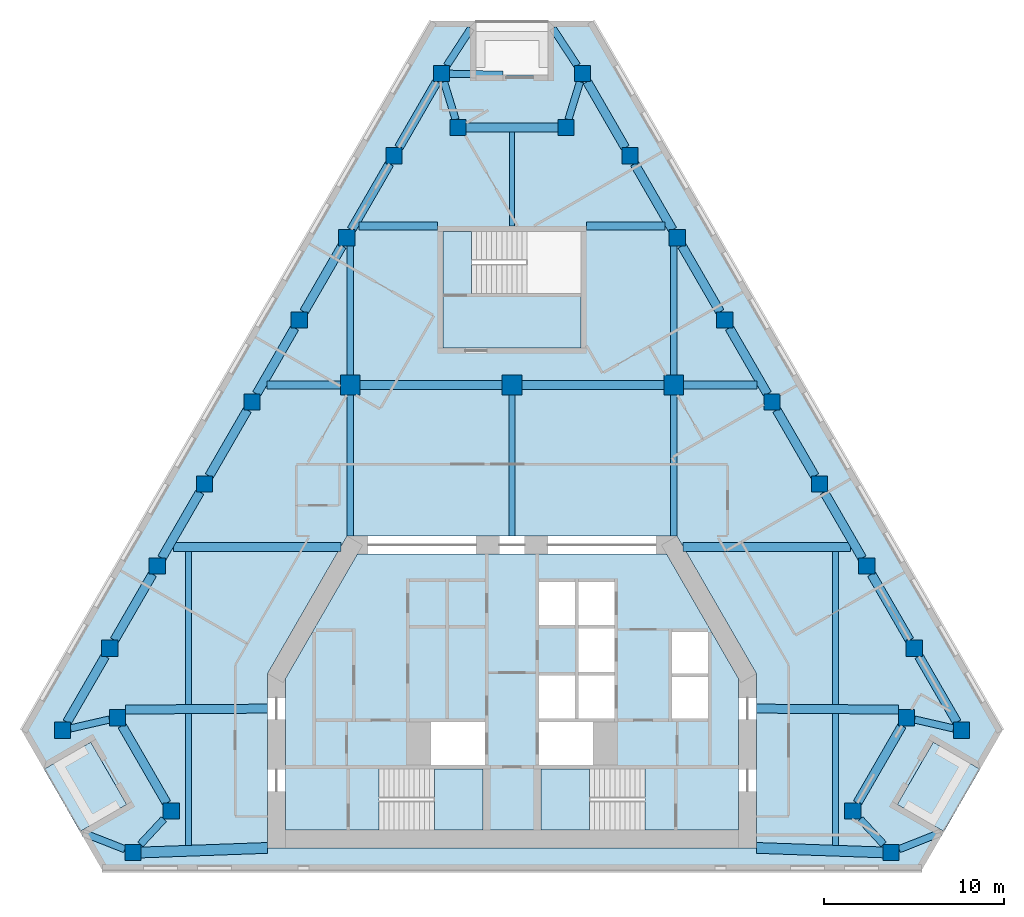
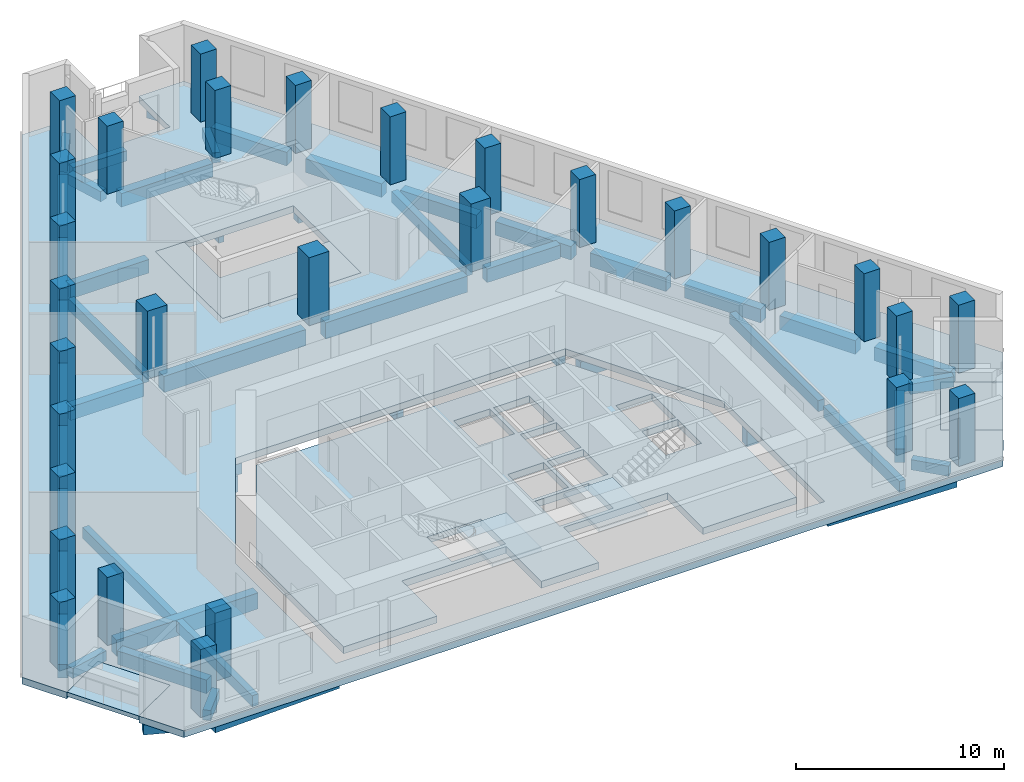
# One storey, part 1 of 9: 52 beams, 29 columns, 7 slabs, 2 elements without a shape of their own.
"""IFC4 building model written with IfcOpenShell, lengths in metres."""

from ifc_helpers import new_model, si_unit, direction, frame, origin, origin_2d, place, context, subcontext, project, spatial, polyline, rectangle, outline, extrude, material, layer, layer_set, material_profile, profile_set, type_object, element, aggregate, save


model = new_model("IFC4")

# Units and contexts
model_context = context("Model", 3, precision=1e-05, world=origin(), true_north=direction((0.0, 1.0)))
body_context = subcontext(model_context, "Body", "Model", "MODEL_VIEW")
ifc_project = project(units=[si_unit("LENGTHUNIT", "METRE"), si_unit("AREAUNIT", "SQUARE_METRE"), si_unit("VOLUMEUNIT", "CUBIC_METRE"), si_unit("PLANEANGLEUNIT", "RADIAN"), si_unit("MASSUNIT", "GRAM", prefix="KILO")], contexts=[model_context])

# Site, building, storey
site_placement = place(None, origin())
site = spatial("IfcSite", under=ifc_project, at=site_placement, CompositionType="ELEMENT")
building_placement = place(site_placement, origin())
building = spatial("IfcBuilding", under=site, at=building_placement, Name="Fogline Exchange Tower", CompositionType="ELEMENT")
storey_placement = place(building_placement, frame((0.0, 0.0, 206.10009765625)))
storey = spatial("IfcBuildingStorey", under=building, at=storey_placement, Name="L46", CompositionType="ELEMENT", Elevation=206.10009765625)

# Columns
ifc_material_1 = material(Name="Concrete C60", Category="concrete")
ifc_material_profile_1 = material_profile(ifc_material_1, rectangle(XDim=1.10009765625, YDim=1.10009765625, at=origin_2d()), Name="RC 1100x1100")
ifc_profile_set_1 = profile_set([ifc_material_profile_1], Name="Concrete C60")
column_type_1 = type_object("IfcColumnType", Name="C05", PredefinedType="COLUMN", material=ifc_profile_set_1)
for number, where, z_axis, x_axis, name in (
    (1, (-9.0, 27.0, 0.0), (0.0, 0.0, 1.0), (1.0, 0.0, 0.0), "IC--9-27"),
    (2, (0.0, 27.0, 0.0), (0.0, 0.0, 1.0), (1.0, 0.0, 0.0), "IC-0-27"),
    (3, (9.0, 27.0, 0.0), (0.0, 0.0, 1.0), (1.0, 0.0, 0.0), "IC-9-27"),
):
    element("IfcColumn", number, at=place(storey_placement, frame(where, z_axis=z_axis, x_axis=x_axis)), inside=storey, type_object=column_type_1, Name=name, PredefinedType="COLUMN", context=body_context, shape_type="SweptSolid", body=[
        extrude(rectangle(XDim=1.10009765625, YDim=1.10009765625, at=origin_2d()), origin(), (0.0, 0.0, 1.0), 4.0),
    ])
ifc_material_profile_2 = material_profile(ifc_material_1, rectangle(XDim=0.89990234375, YDim=0.89990234375, at=origin_2d()), Name="RC 900x900")
ifc_profile_set_2 = profile_set([ifc_material_profile_2], Name="Concrete C60")
column_type_2 = type_object("IfcColumnType", Name="C06", PredefinedType="COLUMN", material=ifc_profile_set_2)
for number, where, z_axis, x_axis, name in (
    (4, (-25.0146484375, 7.794189453125, 0.0), (0.0, 0.0, 1.0), (1.0, 0.0, 0.0), "SW-a"),
    (5, (-21.955322265625, 8.4951171875, 0.0), (0.0, 0.0, 1.0), (1.0, 0.0, 0.0), "SW-p4"),
    (6, (-18.955322265625, 3.299072265625, 0.0), (0.0, 0.0, 1.0), (1.0, 0.0, 0.0), "SW-p3"),
    (7, (-21.092041015625, 1.0, 0.0), (0.0, 0.0, 1.0), (1.0, 0.0, 0.0), "SW-b"),
    (8, (21.092041015625, 1.0, 0.0), (0.0, 0.0, 1.0), (1.0, 0.0, 0.0), "SE-a"),
    (9, (18.955322265625, 3.299072265625, 0.0), (0.0, 0.0, 1.0), (1.0, 0.0, 0.0), "SE-p4"),
    (10, (21.955322265625, 8.4951171875, 0.0), (0.0, 0.0, 1.0), (1.0, 0.0, 0.0), "SE-p3"),
    (11, (25.0146484375, 7.794189453125, 0.0), (0.0, 0.0, 1.0), (1.0, 0.0, 0.0), "SE-b"),
    (12, (22.378173828125, 12.36083984375, 0.0), (0.0, 0.0, 1.0), (1.0, 0.0, 0.0), "E1"),
    (13, (19.74169921875, 16.92724609375, 0.0), (0.0, 0.0, 1.0), (1.0, 0.0, 0.0), "E2"),
    (14, (17.105224609375, 21.493896484375, 0.0), (0.0, 0.0, 1.0), (1.0, 0.0, 0.0), "E3"),
    (15, (14.46875, 26.060302734375, 0.0), (0.0, 0.0, 1.0), (1.0, 0.0, 0.0), "E4"),
    (16, (11.832275390625, 30.626953125, 0.0), (0.0, 0.0, 1.0), (1.0, 0.0, 0.0), "E5"),
    (17, (9.19580078125, 35.193603515625, 0.0), (0.0, 0.0, 1.0), (1.0, 0.0, 0.0), "E6"),
    (18, (6.55908203125, 39.760009765625, 0.0), (0.0, 0.0, 1.0), (1.0, 0.0, 0.0), "E7"),
    (19, (3.922607421875, 44.32666015625, 0.0), (0.0, 0.0, 1.0), (1.0, 0.0, 0.0), "N-a"),
    (20, (3.0, 41.32666015625, 0.0), (0.0, 0.0, 1.0), (1.0, 0.0, 0.0), "N-p4"),
    (21, (-3.0, 41.32666015625, 0.0), (0.0, 0.0, 1.0), (1.0, 0.0, 0.0), "N-p3"),
    (22, (-3.922607421875, 44.32666015625, 0.0), (0.0, 0.0, 1.0), (1.0, 0.0, 0.0), "N-b"),
    (23, (-6.55908203125, 39.760009765625, 0.0), (0.0, 0.0, 1.0), (1.0, 0.0, 0.0), "W1"),
    (24, (-9.19580078125, 35.193603515625, 0.0), (0.0, 0.0, 1.0), (1.0, 0.0, 0.0), "W2"),
    (25, (-11.832275390625, 30.626953125, 0.0), (0.0, 0.0, 1.0), (1.0, 0.0, 0.0), "W3"),
    (26, (-14.46875, 26.060302734375, 0.0), (0.0, 0.0, 1.0), (1.0, 0.0, 0.0), "W4"),
    (27, (-17.105224609375, 21.493896484375, 0.0), (0.0, 0.0, 1.0), (1.0, 0.0, 0.0), "W5"),
    (28, (-19.74169921875, 16.92724609375, 0.0), (0.0, 0.0, 1.0), (1.0, 0.0, 0.0), "W6"),
    (29, (-22.378173828125, 12.36083984375, 0.0), (0.0, 0.0, 1.0), (1.0, 0.0, 0.0), "W7"),
):
    element("IfcColumn", number, at=place(storey_placement, frame(where, z_axis=z_axis, x_axis=x_axis)), inside=storey, type_object=column_type_2, Name=name, PredefinedType="COLUMN", context=body_context, shape_type="SweptSolid", body=[
        extrude(rectangle(XDim=0.89990234375, YDim=0.89990234375, at=origin_2d()), origin(), (0.0, 0.0, 1.0), 4.0),
    ])

# Beams
ifc_material_2 = material(Name="Concrete C40", Category="concrete")
ifc_material_profile_3 = material_profile(ifc_material_2, rectangle(XDim=0.300048828125, YDim=0.60009765625, at=origin_2d()), Name="RC 300x600")
ifc_profile_set_3 = profile_set([ifc_material_profile_3], Name="Concrete C40")
beam_type_1 = type_object("IfcBeamType", Name="B06", PredefinedType="BEAM", material=ifc_profile_set_3)
beam_1_placement = place(storey_placement, frame((0.0, 35.85693359375, -0.7001953125), z_axis=(0.0, 1.0, 0.0), x_axis=(-1.0, 0.0, 0.0)))
element("IfcBeam", 30, at=beam_1_placement, inside=storey, type_object=beam_type_1, Name="SB006", PredefinedType="BEAM", context=body_context, shape_type="SweptSolid", body=[
    extrude(rectangle(XDim=0.300048828125, YDim=0.60009765625, at=origin_2d()), origin(), (0.0, 0.0, 1.0), 5.2197265625),
])
ifc_material_profile_4 = material_profile(ifc_material_2, rectangle(XDim=0.60009765625, YDim=0.89990234375, at=origin_2d()), Name="RC 600x900")
ifc_profile_set_4 = profile_set([ifc_material_profile_4], Name="Concrete C40")
beam_type_2 = type_object("IfcBeamType", Name="B09", PredefinedType="BEAM", material=ifc_profile_set_4)
beam_2_placement = place(storey_placement, frame((-20.64208984375, 0.99462890625, -0.85009765625), z_axis=(0.999343107492, 0.036240219472, 0.0), x_axis=(-0.036240219472, 0.999343107492, 0.0)))
element("IfcBeam", 31, at=beam_2_placement, inside=storey, type_object=beam_type_2, Name="RB004", PredefinedType="BEAM", context=body_context, shape_type="SweptSolid", body=[
    extrude(rectangle(XDim=0.60009765625, YDim=0.89990234375, at=origin_2d()), origin(), (0.0, 0.0, 1.0), 7.046630859375),
])
beam_3_placement = place(storey_placement, frame((13.60009765625, 1.25, -0.85009765625), z_axis=(0.99937042328, -0.035478966629, 0.0), x_axis=(0.035478966629, 0.99937042328, 0.0)))
element("IfcBeam", 32, at=beam_3_placement, inside=storey, type_object=beam_type_2, Name="RB005", PredefinedType="BEAM", context=body_context, shape_type="SweptSolid", body=[
    extrude(rectangle(XDim=0.60009765625, YDim=0.89990234375, at=origin_2d()), origin(), (0.0, 0.0, 1.0), 7.04638671875),
])
ifc_material_profile_5 = material_profile(ifc_material_2, rectangle(XDim=0.5, YDim=0.800048828125, at=origin_2d()), Name="RC 500x800")
ifc_profile_set_5 = profile_set([ifc_material_profile_5], Name="Concrete C40")
beam_type_3 = type_object("IfcBeamType", Name="B10", PredefinedType="BEAM", material=ifc_profile_set_5)
for number, where, z_axis, x_axis, name in (
    (33, (-21.6953125, 8.045166015625, -0.800048828125), (0.499976646485, -0.866038886523, 0.0), (0.866038886523, 0.499976646485, 0.0), "RB002"),
    (34, (19.215087890625, 3.7490234375, -0.800048828125), (0.499976646485, 0.866038886523, 0.0), (-0.866038886523, 0.499976646485, 0.0), "RB007"),
):
    element("IfcBeam", number, at=place(storey_placement, frame(where, z_axis=z_axis, x_axis=x_axis)), inside=storey, type_object=beam_type_3, Name=name, PredefinedType="BEAM", context=body_context, shape_type="SweptSolid", body=[
        extrude(rectangle(XDim=0.5, YDim=0.800048828125, at=origin_2d()), origin(), (0.0, 0.0, 1.0), 4.960693359375),
    ])
beam_4_placement = place(storey_placement, frame((24.7548828125, 8.244140625, -0.800048828125), z_axis=(-0.499990325971, 0.866030989016, 0.0), x_axis=(-0.866030989016, -0.499990325971, 0.0)))
element("IfcBeam", 35, at=beam_4_placement, inside=storey, type_object=beam_type_3, Name="RB009", PredefinedType="BEAM", context=body_context, shape_type="SweptSolid", body=[
    extrude(rectangle(XDim=0.5, YDim=0.800048828125, at=origin_2d()), origin(), (0.0, 0.0, 1.0), 4.23388671875),
])
beam_5_placement = place(storey_placement, frame((22.118408203125, 12.810791015625, -0.800048828125), z_axis=(-0.500015295222, 0.866016572904, 0.0), x_axis=(-0.866016572904, -0.500015295222, 0.0)))
element("IfcBeam", 36, at=beam_5_placement, inside=storey, type_object=beam_type_3, Name="RB010", PredefinedType="BEAM", context=body_context, shape_type="SweptSolid", body=[
    extrude(rectangle(XDim=0.5, YDim=0.800048828125, at=origin_2d()), origin(), (0.0, 0.0, 1.0), 4.233642578125),
])
beam_6_placement = place(storey_placement, frame((19.481689453125, 17.377197265625, -0.800048828125), z_axis=(-0.499947076772, 0.866055956868, 0.0), x_axis=(-0.866055956868, -0.499947076772, 0.0)))
element("IfcBeam", 37, at=beam_6_placement, inside=storey, type_object=beam_type_3, Name="RB011", PredefinedType="BEAM", context=body_context, shape_type="SweptSolid", body=[
    extrude(rectangle(XDim=0.5, YDim=0.800048828125, at=origin_2d()), origin(), (0.0, 0.0, 1.0), 4.23388671875),
])
for number, where, z_axis, x_axis, name in (
    (38, (16.84521484375, 21.94384765625, -0.800048828125), (-0.499972045304, 0.866041542834, 0.0), (-0.866041542834, -0.499972045304, 0.0), "RB012"),
    (39, (14.208740234375, 26.510498046875, -0.800048828125), (-0.499972045304, 0.866041542834, 0.0), (-0.866041542834, -0.499972045304, 0.0), "RB013"),
    (40, (11.572265625, 31.076904296875, -0.800048828125), (-0.499972045304, 0.866041542834, 0.0), (-0.866041542834, -0.499972045304, 0.0), "RB014"),
    (41, (8.935791015625, 35.6435546875, -0.800048828125), (-0.499972045304, 0.866041542834, 0.0), (-0.866041542834, -0.499972045304, 0.0), "RB015"),
    (42, (6.29931640625, 40.210205078125, -0.800048828125), (-0.499972045304, 0.866041542834, 0.0), (-0.866041542834, -0.499972045304, 0.0), "RB016"),
):
    element("IfcBeam", number, at=place(storey_placement, frame(where, z_axis=z_axis, x_axis=x_axis)), inside=storey, type_object=beam_type_3, Name=name, PredefinedType="BEAM", context=body_context, shape_type="SweptSolid", body=[
        extrude(rectangle(XDim=0.5, YDim=0.800048828125, at=origin_2d()), origin(), (0.0, 0.0, 1.0), 4.233642578125),
    ])
beam_7_placement = place(storey_placement, frame((2.550048828125, 41.32666015625, -0.800048828125), z_axis=(-1.0, 0.0, 0.0), x_axis=(0.0, -1.0, 0.0)))
element("IfcBeam", 43, at=beam_7_placement, inside=storey, type_object=beam_type_3, Name="RB018", PredefinedType="BEAM", context=body_context, shape_type="SweptSolid", body=[
    extrude(rectangle(XDim=0.5, YDim=0.800048828125, at=origin_2d()), origin(), (0.0, 0.0, 1.0), 5.10009765625),
])
for number, where, z_axis, x_axis, name in (
    (44, (-4.1826171875, 43.876708984375, -0.800048828125), (-0.499972045304, -0.866041542834, 0.0), (0.866041542834, -0.499972045304, 0.0), "RB020"),
    (45, (-6.819091796875, 39.31005859375, -0.800048828125), (-0.499972045304, -0.866041542834, 0.0), (0.866041542834, -0.499972045304, 0.0), "RB021"),
    (46, (-9.45556640625, 34.743408203125, -0.800048828125), (-0.499972045304, -0.866041542834, 0.0), (0.866041542834, -0.499972045304, 0.0), "RB022"),
    (47, (-12.092041015625, 30.177001953125, -0.800048828125), (-0.499972045304, -0.866041542834, 0.0), (0.866041542834, -0.499972045304, 0.0), "RB023"),
    (48, (-14.728515625, 25.6103515625, -0.800048828125), (-0.499972045304, -0.866041542834, 0.0), (0.866041542834, -0.499972045304, 0.0), "RB024"),
):
    element("IfcBeam", number, at=place(storey_placement, frame(where, z_axis=z_axis, x_axis=x_axis)), inside=storey, type_object=beam_type_3, Name=name, PredefinedType="BEAM", context=body_context, shape_type="SweptSolid", body=[
        extrude(rectangle(XDim=0.5, YDim=0.800048828125, at=origin_2d()), origin(), (0.0, 0.0, 1.0), 4.233642578125),
    ])
beam_8_placement = place(storey_placement, frame((-17.364990234375, 21.0439453125, -0.800048828125), z_axis=(-0.499947076772, -0.866055956868, 0.0), x_axis=(0.866055956868, -0.499947076772, 0.0)))
element("IfcBeam", 49, at=beam_8_placement, inside=storey, type_object=beam_type_3, Name="RB025", PredefinedType="BEAM", context=body_context, shape_type="SweptSolid", body=[
    extrude(rectangle(XDim=0.5, YDim=0.800048828125, at=origin_2d()), origin(), (0.0, 0.0, 1.0), 4.23388671875),
])
beam_9_placement = place(storey_placement, frame((-20.00146484375, 16.477294921875, -0.800048828125), z_axis=(-0.500015295222, -0.866016572904, 0.0), x_axis=(0.866016572904, -0.500015295222, 0.0)))
element("IfcBeam", 50, at=beam_9_placement, inside=storey, type_object=beam_type_3, Name="RB026", PredefinedType="BEAM", context=body_context, shape_type="SweptSolid", body=[
    extrude(rectangle(XDim=0.5, YDim=0.800048828125, at=origin_2d()), origin(), (0.0, 0.0, 1.0), 4.233642578125),
])
beam_10_placement = place(storey_placement, frame((-22.637939453125, 11.910888671875, -0.800048828125), z_axis=(-0.499990325971, -0.866030989016, 0.0), x_axis=(0.866030989016, -0.499990325971, 0.0)))
element("IfcBeam", 51, at=beam_10_placement, inside=storey, type_object=beam_type_3, Name="RB027", PredefinedType="BEAM", context=body_context, shape_type="SweptSolid", body=[
    extrude(rectangle(XDim=0.5, YDim=0.800048828125, at=origin_2d()), origin(), (0.0, 0.0, 1.0), 4.23388671875),
])
ifc_material_profile_6 = material_profile(ifc_material_2, rectangle(XDim=0.39990234375, YDim=0.60009765625, at=origin_2d()), Name="RC 400x600")
ifc_profile_set_6 = profile_set([ifc_material_profile_6], Name="Concrete C40")
beam_type_4 = type_object("IfcBeamType", Name="B11", PredefinedType="BEAM", material=ifc_profile_set_6)
beam_11_placement = place(storey_placement, frame((-24.564697265625, 7.897216796875, -0.7001953125), z_axis=(0.974731818643, 0.223378337636, 0.0), x_axis=(-0.223378337636, 0.974731818643, 0.0)))
element("IfcBeam", 52, at=beam_11_placement, inside=storey, type_object=beam_type_4, Name="RB001", PredefinedType="BEAM", context=body_context, shape_type="SweptSolid", body=[
    extrude(rectangle(XDim=0.39990234375, YDim=0.60009765625, at=origin_2d()), origin(), (0.0, 0.0, 1.0), 2.21533203125),
])
for number, where, z_axis, x_axis, name in (
    (53, (-19.37353515625, 2.84912109375, -0.7001953125), (-0.68075009804, -0.732515736362, 0.0), (0.732515736362, -0.68075009804, 0.0), "RB003"),
    (54, (20.673828125, 1.449951171875, -0.7001953125), (-0.68075009804, 0.732515736362, 0.0), (-0.732515736362, -0.68075009804, 0.0), "RB006"),
):
    element("IfcBeam", number, at=place(storey_placement, frame(where, z_axis=z_axis, x_axis=x_axis)), inside=storey, type_object=beam_type_4, Name=name, PredefinedType="BEAM", context=body_context, shape_type="SweptSolid", body=[
        extrude(rectangle(XDim=0.39990234375, YDim=0.60009765625, at=origin_2d()), origin(), (0.0, 0.0, 1.0), 1.91015625),
    ])
beam_12_placement = place(storey_placement, frame((22.4052734375, 8.39208984375, -0.7001953125), z_axis=(0.974731818643, -0.223378337636, 0.0), x_axis=(0.223378337636, 0.974731818643, 0.0)))
element("IfcBeam", 55, at=beam_12_placement, inside=storey, type_object=beam_type_4, Name="RB008", PredefinedType="BEAM", context=body_context, shape_type="SweptSolid", body=[
    extrude(rectangle(XDim=0.39990234375, YDim=0.60009765625, at=origin_2d()), origin(), (0.0, 0.0, 1.0), 2.21533203125),
])
for number, where, z_axis, x_axis, name in (
    (56, (3.7841796875, 43.876708984375, -0.7001953125), (-0.293906253456, -0.95583425037, 0.0), (0.95583425037, -0.293906253456, 0.0), "RB017"),
    (57, (-3.138427734375, 41.776611328125, -0.7001953125), (-0.293906253456, 0.95583425037, 0.0), (-0.95583425037, -0.293906253456, 0.0), "RB019"),
):
    element("IfcBeam", number, at=place(storey_placement, frame(where, z_axis=z_axis, x_axis=x_axis)), inside=storey, type_object=beam_type_4, Name=name, PredefinedType="BEAM", context=body_context, shape_type="SweptSolid", body=[
        extrude(rectangle(XDim=0.39990234375, YDim=0.60009765625, at=origin_2d()), origin(), (0.0, 0.0, 1.0), 2.197021484375),
    ])
beam_13_placement = place(storey_placement, frame((3.627685546875, 44.776611328125, -0.7001953125), z_axis=(-0.548384177003, 0.836226520993, 0.0), x_axis=(-0.836226520993, -0.548384177003, 0.0)))
element("IfcBeam", 58, at=beam_13_placement, inside=storey, type_object=beam_type_4, Name="SP028", PredefinedType="BEAM", context=body_context, shape_type="SweptSolid", body=[
    extrude(rectangle(XDim=0.39990234375, YDim=0.60009765625, at=origin_2d()), origin(), (0.0, 0.0, 1.0), 2.46826171875),
])
beam_14_placement = place(storey_placement, frame((-3.630126953125, 44.776611328125, -0.7001953125), z_axis=(0.544943067499, 0.838473048574, 0.0), x_axis=(-0.838473048574, 0.544943067499, 0.0)))
element("IfcBeam", 59, at=beam_14_placement, inside=storey, type_object=beam_type_4, Name="SP029", PredefinedType="BEAM", context=body_context, shape_type="SweptSolid", body=[
    extrude(rectangle(XDim=0.39990234375, YDim=0.60009765625, at=origin_2d()), origin(), (0.0, 0.0, 1.0), 2.463623046875),
])
beam_15_placement = place(storey_placement, frame((21.5419921875, 1.178466796875, -0.7001953125), z_axis=(0.929590674995, 0.368593511829, 0.0), x_axis=(-0.368593511829, 0.929590674995, 0.0)))
element("IfcBeam", 60, at=beam_15_placement, inside=storey, type_object=beam_type_4, Name="SP030", PredefinedType="BEAM", context=body_context, shape_type="SweptSolid", body=[
    extrude(rectangle(XDim=0.39990234375, YDim=0.60009765625, at=origin_2d()), origin(), (0.0, 0.0, 1.0), 2.484619140625),
])
beam_16_placement = place(storey_placement, frame((-21.5419921875, 1.176513671875, -0.7001953125), z_axis=(-0.930953625258, 0.365137436616, 0.0), x_axis=(-0.365137436616, -0.930953625258, 0.0)))
element("IfcBeam", 61, at=beam_16_placement, inside=storey, type_object=beam_type_4, Name="SP031", PredefinedType="BEAM", context=body_context, shape_type="SweptSolid", body=[
    extrude(rectangle(XDim=0.39990234375, YDim=0.60009765625, at=origin_2d()), origin(), (0.0, 0.0, 1.0), 2.493896484375),
])
beam_17_placement = place(storey_placement, frame((-3.47265625, 44.319091796875, -0.7001953125), z_axis=(0.999862941175, -0.016555931393, 0.0), x_axis=(0.016555931393, 0.999862941175, 0.0)))
element("IfcBeam", 62, at=beam_17_placement, inside=storey, type_object=beam_type_4, Name="SP032", PredefinedType="BEAM", context=body_context, shape_type="SweptSolid", body=[
    extrude(rectangle(XDim=0.39990234375, YDim=0.60009765625, at=origin_2d()), origin(), (0.0, 0.0, 1.0), 2.964111328125),
])
ifc_material_profile_7 = material_profile(ifc_material_2, rectangle(XDim=0.5, YDim=0.949951171875, at=origin_2d()), Name="RC 500x950")
ifc_profile_set_7 = profile_set([ifc_material_profile_7], Name="Concrete C40")
beam_type_5 = type_object("IfcBeamType", Name="B14", PredefinedType="BEAM", material=ifc_profile_set_7)
for number, where, z_axis, x_axis, name in (
    (63, (-21.50537109375, 8.9453125, -0.875), (0.999976072531, 0.006917684998, 0.0), (-0.006917684998, 0.999976072531, 0.0), "GB001"),
    (64, (13.60009765625, 9.0, -0.875), (0.999976072531, -0.006917684998, 0.0), (0.006917684998, 0.999976072531, 0.0), "GB002"),
):
    element("IfcBeam", number, at=place(storey_placement, frame(where, z_axis=z_axis, x_axis=x_axis)), inside=storey, type_object=beam_type_5, Name=name, PredefinedType="BEAM", context=body_context, shape_type="SweptSolid", body=[
        extrude(rectangle(XDim=0.5, YDim=0.949951171875, at=origin_2d()), origin(), (0.0, 0.0, 1.0), 7.905517578125),
    ])
for number, where, z_axis, x_axis, name in (
    (65, (-18.833740234375, 18.0, -0.875), (1.0, 0.0, 0.0), (0.0, 1.0, 0.0), "GB003"),
    (66, (9.527099609375, 18.0, -0.875), (1.0, 0.0, 0.0), (0.0, 1.0, 0.0), "GB004"),
):
    element("IfcBeam", number, at=place(storey_placement, frame(where, z_axis=z_axis, x_axis=x_axis)), inside=storey, type_object=beam_type_5, Name=name, PredefinedType="BEAM", context=body_context, shape_type="SweptSolid", body=[
        extrude(rectangle(XDim=0.5, YDim=0.949951171875, at=origin_2d()), origin(), (0.0, 0.0, 1.0), 9.306640625),
    ])
for number, where, z_axis, x_axis, name in (
    (67, (-8.449951171875, 27.0, -0.875), (1.0, 0.0, 0.0), (0.0, 1.0, 0.0), "GB006"),
    (68, (0.550048828125, 27.0, -0.875), (1.0, 0.0, 0.0), (0.0, 1.0, 0.0), "GB007"),
):
    element("IfcBeam", number, at=place(storey_placement, frame(where, z_axis=z_axis, x_axis=x_axis)), inside=storey, type_object=beam_type_5, Name=name, PredefinedType="BEAM", context=body_context, shape_type="SweptSolid", body=[
        extrude(rectangle(XDim=0.5, YDim=0.949951171875, at=origin_2d()), origin(), (0.0, 0.0, 1.0), 7.89990234375),
    ])
ifc_material_profile_8 = material_profile(ifc_material_2, rectangle(XDim=0.35009765625, YDim=0.64990234375, at=origin_2d()), Name="RC 350x650")
ifc_profile_set_8 = profile_set([ifc_material_profile_8], Name="Concrete C40")
beam_type_6 = type_object("IfcBeamType", Name="B16", PredefinedType="BEAM", material=ifc_profile_set_8)
beam_18_placement = place(storey_placement, frame((-18.0, 1.390625, -0.72509765625), z_axis=(0.0, 1.0, 0.0), x_axis=(-1.0, 0.0, 0.0)))
element("IfcBeam", 69, at=beam_18_placement, inside=storey, type_object=beam_type_6, Name="SB001", PredefinedType="BEAM", context=body_context, shape_type="SweptSolid", body=[
    extrude(rectangle(XDim=0.35009765625, YDim=0.64990234375, at=origin_2d()), origin(), (0.0, 0.0, 1.0), 7.328857421875),
])
beam_19_placement = place(storey_placement, frame((-18.0, 9.219482421875, -0.72509765625), z_axis=(0.0, 1.0, 0.0), x_axis=(-1.0, 0.0, 0.0)))
element("IfcBeam", 70, at=beam_19_placement, inside=storey, type_object=beam_type_6, Name="SB002", PredefinedType="BEAM", context=body_context, shape_type="SweptSolid", body=[
    extrude(rectangle(XDim=0.35009765625, YDim=0.64990234375, at=origin_2d()), origin(), (0.0, 0.0, 1.0), 8.530517578125),
])
beam_20_placement = place(storey_placement, frame((-9.0, 18.60009765625, -0.72509765625), z_axis=(0.0, 1.0, 0.0), x_axis=(-1.0, 0.0, 0.0)))
element("IfcBeam", 71, at=beam_20_placement, inside=storey, type_object=beam_type_6, Name="SB003", PredefinedType="BEAM", context=body_context, shape_type="SweptSolid", body=[
    extrude(rectangle(XDim=0.35009765625, YDim=0.64990234375, at=origin_2d()), origin(), (0.0, 0.0, 1.0), 7.849853515625),
])
beam_21_placement = place(storey_placement, frame((-9.0, 27.550048828125, -0.72509765625), z_axis=(0.0, 1.0, 0.0), x_axis=(-1.0, 0.0, 0.0)))
element("IfcBeam", 72, at=beam_21_placement, inside=storey, type_object=beam_type_6, Name="SB004", PredefinedType="BEAM", context=body_context, shape_type="SweptSolid", body=[
    extrude(rectangle(XDim=0.35009765625, YDim=0.64990234375, at=origin_2d()), origin(), (0.0, 0.0, 1.0), 7.193359375),
])
for number, where, z_axis, x_axis, name in (
    (73, (0.0, 18.60009765625, -0.72509765625), (0.0, 1.0, 0.0), (-1.0, 0.0, 0.0), "SB005"),
    (74, (9.0, 18.60009765625, -0.72509765625), (0.0, 1.0, 0.0), (-1.0, 0.0, 0.0), "SB007"),
):
    element("IfcBeam", number, at=place(storey_placement, frame(where, z_axis=z_axis, x_axis=x_axis)), inside=storey, type_object=beam_type_6, Name=name, PredefinedType="BEAM", context=body_context, shape_type="SweptSolid", body=[
        extrude(rectangle(XDim=0.35009765625, YDim=0.64990234375, at=origin_2d()), origin(), (0.0, 0.0, 1.0), 7.849853515625),
    ])
beam_22_placement = place(storey_placement, frame((9.0, 27.550048828125, -0.72509765625), z_axis=(0.0, 1.0, 0.0), x_axis=(-1.0, 0.0, 0.0)))
element("IfcBeam", 75, at=beam_22_placement, inside=storey, type_object=beam_type_6, Name="SB008", PredefinedType="BEAM", context=body_context, shape_type="SweptSolid", body=[
    extrude(rectangle(XDim=0.35009765625, YDim=0.64990234375, at=origin_2d()), origin(), (0.0, 0.0, 1.0), 7.193359375),
])
beam_23_placement = place(storey_placement, frame((18.0, 1.39404296875, -0.72509765625), z_axis=(0.0, 1.0, 0.0), x_axis=(-1.0, 0.0, 0.0)))
element("IfcBeam", 76, at=beam_23_placement, inside=storey, type_object=beam_type_6, Name="SB009", PredefinedType="BEAM", context=body_context, shape_type="SweptSolid", body=[
    extrude(rectangle(XDim=0.35009765625, YDim=0.64990234375, at=origin_2d()), origin(), (0.0, 0.0, 1.0), 7.325439453125),
])
beam_24_placement = place(storey_placement, frame((18.0, 9.219482421875, -0.72509765625), z_axis=(0.0, 1.0, 0.0), x_axis=(-1.0, 0.0, 0.0)))
element("IfcBeam", 77, at=beam_24_placement, inside=storey, type_object=beam_type_6, Name="SB010", PredefinedType="BEAM", context=body_context, shape_type="SweptSolid", body=[
    extrude(rectangle(XDim=0.35009765625, YDim=0.64990234375, at=origin_2d()), origin(), (0.0, 0.0, 1.0), 8.530517578125),
])
ifc_material_profile_9 = material_profile(ifc_material_2, rectangle(XDim=0.449951171875, YDim=0.800048828125, at=origin_2d()), Name="RC 450x800")
ifc_profile_set_9 = profile_set([ifc_material_profile_9], Name="Concrete C40")
beam_type_7 = type_object("IfcBeamType", Name="B18", PredefinedType="BEAM", material=ifc_profile_set_9)
for number, where, z_axis, x_axis, name in (
    (78, (-13.637451171875, 27.0, -0.800048828125), (1.0, 0.0, 0.0), (0.0, 1.0, 0.0), "GB005"),
    (79, (9.550048828125, 27.0, -0.800048828125), (1.0, 0.0, 0.0), (0.0, 1.0, 0.0), "GB008"),
):
    element("IfcBeam", number, at=place(storey_placement, frame(where, z_axis=z_axis, x_axis=x_axis)), inside=storey, type_object=beam_type_7, Name=name, PredefinedType="BEAM", context=body_context, shape_type="SweptSolid", body=[
        extrude(rectangle(XDim=0.449951171875, YDim=0.800048828125, at=origin_2d()), origin(), (0.0, 0.0, 1.0), 4.08740234375),
    ])
for number, where, z_axis, x_axis, name in (
    (80, (-8.52392578125, 35.85693359375, -0.800048828125), (1.0, 0.0, 0.0), (0.0, 1.0, 0.0), "GB009"),
    (81, (4.14990234375, 35.85693359375, -0.800048828125), (1.0, 0.0, 0.0), (0.0, 1.0, 0.0), "GB010"),
):
    element("IfcBeam", number, at=place(storey_placement, frame(where, z_axis=z_axis, x_axis=x_axis)), inside=storey, type_object=beam_type_7, Name=name, PredefinedType="BEAM", context=body_context, shape_type="SweptSolid", body=[
        extrude(rectangle(XDim=0.449951171875, YDim=0.800048828125, at=origin_2d()), origin(), (0.0, 0.0, 1.0), 4.3740234375),
    ])

# Slabs
ifc_layer_1 = layer(ifc_material_2, 0.25)
ifc_layer_set_1 = layer_set([ifc_layer_1], Name="DK1")
slab_type_1 = type_object("IfcSlabType", Name="DK1", PredefinedType="FLOOR", material=ifc_layer_set_1)
slab_1_placement = place(storey_placement, frame((0.0, 0.0, -0.25)))
element("IfcSlab", 82, at=slab_1_placement, inside=storey, type_object=slab_type_1, Name="Balcony L46 SW", PredefinedType="FLOOR", context=body_context, shape_type="SweptSolid", body=[
    extrude(outline(polyline([(-26.03662109375, 5.629150390625), (-24.03662109375, 2.1650390625), (-21.4384765625, 3.6650390625), (-23.4384765625, 7.129150390625), (-26.03662109375, 5.629150390625)])), origin(), (0.0, 0.0, 1.0), 0.25),
])
slab_2_placement = place(storey_placement, frame((0.0, 0.0, -0.25)))
element("IfcSlab", 83, at=slab_2_placement, inside=storey, type_object=slab_type_1, Name="Balcony L46 SE", PredefinedType="FLOOR", context=body_context, shape_type="SweptSolid", body=[
    extrude(outline(polyline([(24.03662109375, 2.1650390625), (26.03662109375, 5.629150390625), (23.4384765625, 7.129150390625), (21.4384765625, 3.6650390625), (24.03662109375, 2.1650390625)])), origin(), (0.0, 0.0, 1.0), 0.25),
])
ifc_layer_2 = layer(ifc_material_2, 0.39990234375)
ifc_layer_set_2 = layer_set([ifc_layer_2], Name="S03")
slab_type_2 = type_object("IfcSlabType", Name="S03", PredefinedType="FLOOR", material=ifc_layer_set_2)
slab_3_placement = place(storey_placement, frame((0.0, 0.0, -0.400146484375)))
element("IfcSlab", 84, at=slab_3_placement, inside=storey, type_object=slab_type_2, Name="SLAB L46", PredefinedType="FLOOR", context=body_context, shape_type="SweptSolid", body=[
    extrude(outline(polyline([(-2.0, 47.26171875), (-4.5, 47.26171875), (-27.28662109375, 7.794189453125), (-26.03662109375, 5.629150390625), (-23.4384765625, 7.129150390625), (-21.4384765625, 3.6650390625), (-24.03662109375, 2.1650390625), (-22.78662109375, 0.0), (22.78662109375, 0.0), (24.03662109375, 2.1650390625), (21.4384765625, 3.6650390625), (23.4384765625, 7.129150390625), (26.03662109375, 5.629150390625), (27.28662109375, 7.794189453125), (4.5, 47.26171875), (2.0, 47.26171875), (2.0, 44.26171875), (-2.0, 44.26171875), (-2.0, 47.26171875)]), holes=[polyline([(13.60009765625, 10.9453125), (13.60009765625, 1.25), (-13.60009765625, 1.25), (-13.60009765625, 10.9453125), (-9.1806640625, 18.60009765625), (9.1806640625, 18.60009765625), (13.60009765625, 10.9453125)]), polyline([(3.85009765625, 35.556884765625), (3.85009765625, 29.056884765625), (-3.85009765625, 29.056884765625), (-3.85009765625, 35.556884765625), (3.85009765625, 35.556884765625)])]), origin(), (0.0, 0.0, 1.0), 0.400146484375),
])
slab_4_placement = place(storey_placement, frame((0.0, 0.0, -0.400146484375)))
element("IfcSlab", 85, at=slab_4_placement, inside=storey, type_object=slab_type_2, Name="Core floor slab", PredefinedType="FLOOR", context=body_context, shape_type="SweptSolid", body=[
    extrude(outline(polyline([(-12.60009765625, 2.25), (-12.60009765625, 10.677490234375), (-8.603271484375, 17.60009765625), (8.603271484375, 17.60009765625), (12.60009765625, 10.677490234375), (12.60009765625, 2.25), (7.389892578125, 2.25), (7.389892578125, 5.64990234375), (1.60009765625, 5.64990234375), (1.60009765625, 2.25), (-1.60009765625, 2.25), (-1.60009765625, 5.64990234375), (-7.389892578125, 5.64990234375), (-7.389892578125, 2.25), (-12.60009765625, 2.25)]), holes=[polyline([(-4.5, 8.25), (-4.5, 5.85009765625), (-1.5, 5.85009765625), (-1.5, 8.25), (-4.5, 8.25)]), polyline([(4.5, 8.25), (1.5, 8.25), (1.5, 5.85009765625), (4.5, 5.85009765625), (4.5, 8.25)]), polyline([(3.5, 10.85009765625), (1.5, 10.85009765625), (1.5, 8.449951171875), (3.5, 8.449951171875), (3.5, 10.85009765625)]), polyline([(1.5, 16.050048828125), (1.5, 13.64990234375), (3.5, 13.64990234375), (3.5, 16.050048828125), (1.5, 16.050048828125)]), polyline([(10.89990234375, 10.75), (8.89990234375, 10.75), (8.89990234375, 8.449951171875), (10.89990234375, 8.449951171875), (10.89990234375, 10.75)]), polyline([(5.699951171875, 10.85009765625), (3.699951171875, 10.85009765625), (3.699951171875, 8.449951171875), (5.699951171875, 8.449951171875), (5.699951171875, 10.85009765625)]), polyline([(8.89990234375, 13.25), (8.89990234375, 10.949951171875), (10.89990234375, 10.949951171875), (10.89990234375, 13.25), (8.89990234375, 13.25)]), polyline([(5.699951171875, 13.449951171875), (3.699951171875, 13.449951171875), (3.699951171875, 11.050048828125), (5.699951171875, 11.050048828125), (5.699951171875, 13.449951171875)]), polyline([(5.699951171875, 16.050048828125), (3.699951171875, 16.050048828125), (3.699951171875, 13.64990234375), (5.699951171875, 13.64990234375), (5.699951171875, 16.050048828125)])]), origin(), (0.0, 0.0, 1.0), 0.400146484375),
])
slab_5_placement = place(storey_placement, frame((0.0, 0.0, -0.400146484375)))
element("IfcSlab", 86, at=slab_5_placement, inside=storey, type_object=slab_type_2, Name="Stair enclosure floor slab", PredefinedType="FLOOR", context=body_context, shape_type="SweptSolid", body=[
    extrude(outline(polyline([(3.85009765625, 29.056884765625), (-3.85009765625, 29.056884765625), (-3.85009765625, 35.556884765625), (-2.239990234375, 35.556884765625), (-2.239990234375, 32.10693359375), (3.85009765625, 32.10693359375), (3.85009765625, 29.056884765625)])), origin(), (0.0, 0.0, 1.0), 0.400146484375),
])

# Stair, slab
stair_type = type_object("IfcStairType", Name="STR24-1667", PredefinedType="HALF_TURN_STAIR", material=ifc_material_2)
stair_1_placement = place(storey_placement, origin())
stair_1 = element("IfcStair", 87, at=stair_1_placement, inside=storey, type_object=stair_type, Name="Stair ST1", PredefinedType="HALF_TURN_STAIR")
ifc_layer_3 = layer(ifc_material_2, 0.199951171875)
ifc_layer_set_3 = layer_set([ifc_layer_3], Name="SL200")
slab_type_3 = type_object("IfcSlabType", Name="SL200", PredefinedType="LANDING", material=ifc_layer_set_3)
slab_6_placement = place(storey_placement, frame((0.0, 0.0, 1.7998046875)))
slab_6 = element("IfcSlab", 88, at=slab_6_placement, type_object=slab_type_3, Name="ST1 landing 1", PredefinedType="LANDING", context=body_context, shape_type="SweptSolid", body=[
    extrude(outline(polyline([(-4.320068359375, 2.25), (-1.60009765625, 2.25), (-1.60009765625, 5.64990234375), (-4.320068359375, 5.64990234375), (-4.320068359375, 2.25)])), origin(), (0.0, 0.0, 1.0), 0.2001953125),
])
aggregate(stair_1, [slab_6])

stair_2_placement = place(storey_placement, origin())
stair_2 = element("IfcStair", 89, at=stair_2_placement, inside=storey, type_object=stair_type, Name="Stair ST2", PredefinedType="HALF_TURN_STAIR")
slab_7_placement = place(storey_placement, frame((0.0, 0.0, 1.7998046875)))
slab_7 = element("IfcSlab", 90, at=slab_7_placement, type_object=slab_type_3, Name="ST2 landing 1", PredefinedType="LANDING", context=body_context, shape_type="SweptSolid", body=[
    extrude(outline(polyline([(1.60009765625, 2.25), (4.320068359375, 2.25), (4.320068359375, 5.64990234375), (1.60009765625, 5.64990234375), (1.60009765625, 2.25)])), origin(), (0.0, 0.0, 1.0), 0.2001953125),
])
aggregate(stair_2, [slab_7])

save(model, "model.ifc")
